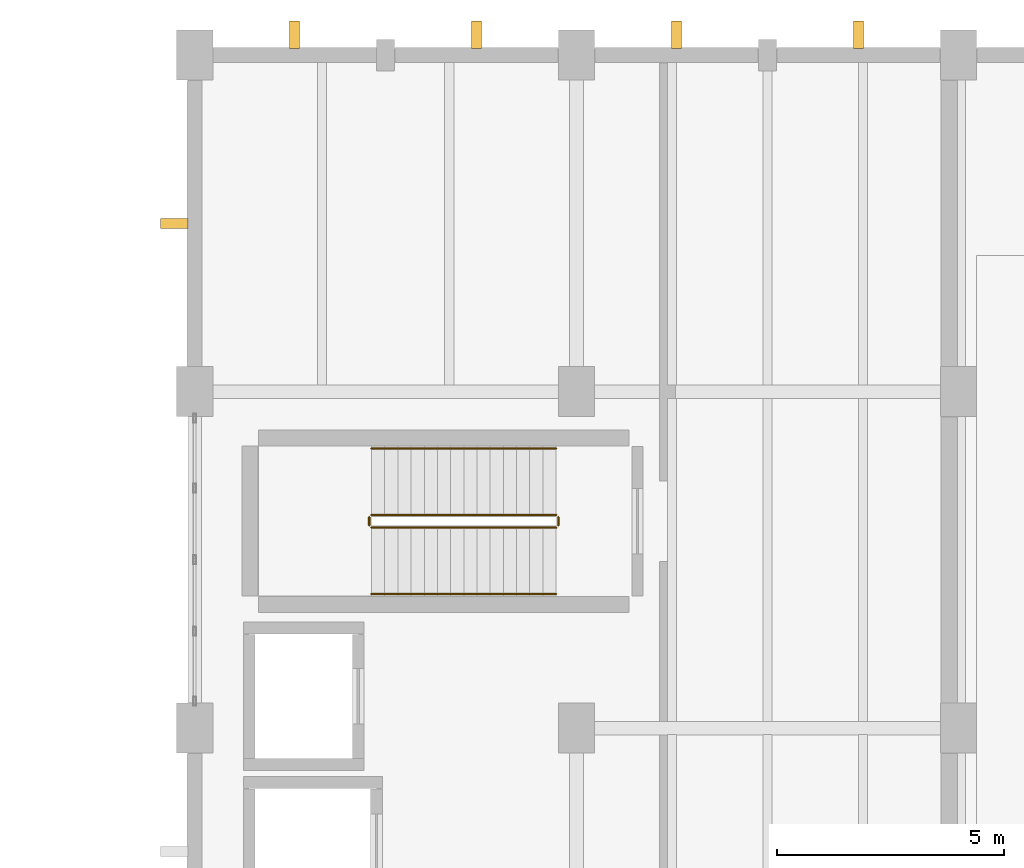
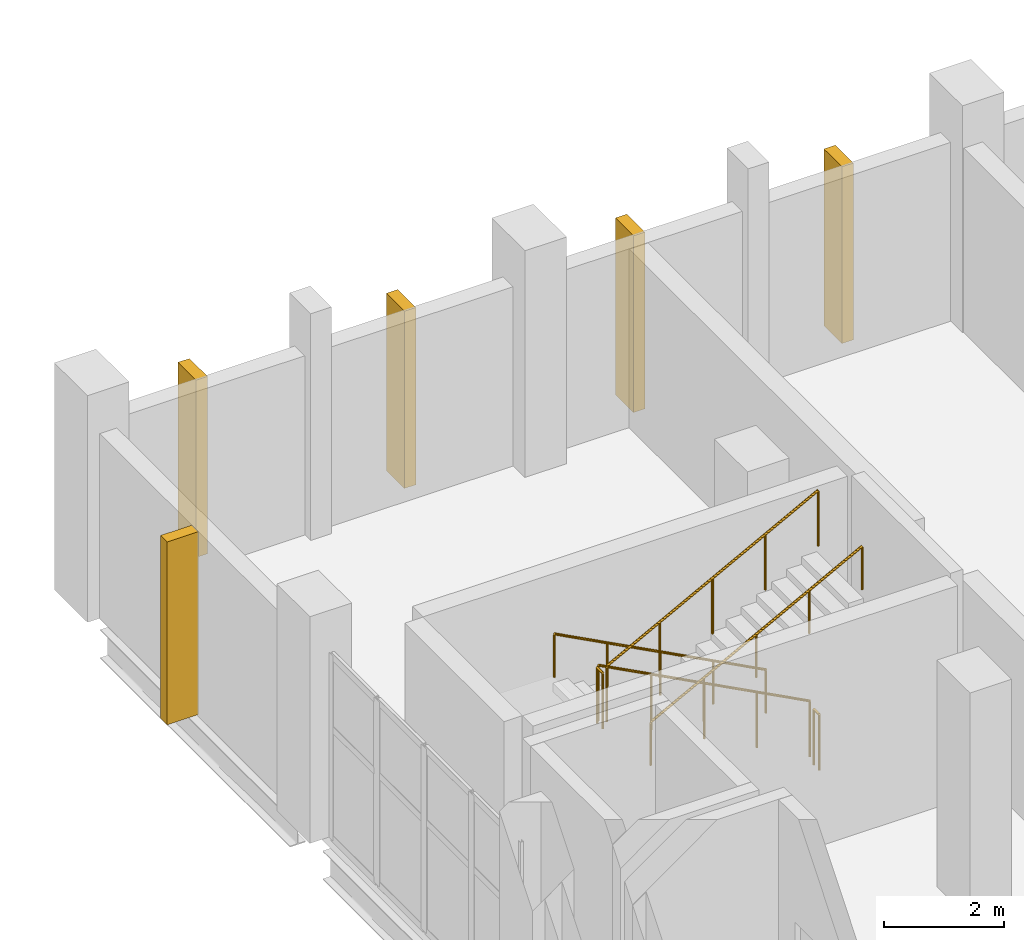
# One storey, part 165 of 172: 6 railings, 5 shading devices.
"""IFC4 building model written with IfcOpenShell, lengths in metres."""

from ifc_helpers import new_model, si_unit, direction, frame, origin, origin_2d, place, context, subcontext, project, spatial, rectangle, circle, extrude, material, layer, layer_set, type_object, element, save


model = new_model("IFC4")

# Units and contexts
model_context = context("Model", 3, precision=1e-05, world=origin(), true_north=direction((0.0, 1.0)))
body_context = subcontext(model_context, "Body", "Model", "MODEL_VIEW")
ifc_project = project(units=[si_unit("LENGTHUNIT", "METRE"), si_unit("AREAUNIT", "SQUARE_METRE"), si_unit("VOLUMEUNIT", "CUBIC_METRE"), si_unit("PLANEANGLEUNIT", "RADIAN"), si_unit("MASSUNIT", "GRAM", prefix="KILO")], contexts=[model_context])

# Site, building, storey
site_placement = place(None, origin())
site = spatial("IfcSite", under=ifc_project, at=site_placement, CompositionType="ELEMENT")
building_placement = place(site_placement, origin())
building = spatial("IfcBuilding", under=site, at=building_placement, Name="Shengluoqiao Park Theatre", CompositionType="ELEMENT")
storey_placement = place(building_placement, frame((0.0, 0.0, 5.39990234375)))
storey = spatial("IfcBuildingStorey", under=building, at=storey_placement, Name="L01", CompositionType="ELEMENT", Elevation=5.39990234375)

# Shading devices
ifc_material_1 = material(Name="Concrete C45", Category="concrete")
ifc_layer = layer(ifc_material_1, 0.219970703125, Name="Concrete C45")
ifc_layer_set = layer_set([ifc_layer], Name="Concrete C45")
shading_device_type = type_object("IfcShadingDeviceType", Name="ENV-FIN-600x220", PredefinedType="USERDEFINED", material=ifc_layer_set)
for number, where, z_axis, x_axis, name in (
    (1, (46.60009765625, 114.449951171875, 0.02001953125), (0.0, 0.0, 1.0), (0.0, 1.0, 0.0), "L01 Vertical Concrete Acoustic Rib 0015"),
    (2, (50.60009765625, 114.449951171875, 0.02001953125), (0.0, 0.0, 1.0), (0.0, 1.0, 0.0), "L01 Vertical Concrete Acoustic Rib 0016"),
):
    element("IfcShadingDevice", number, at=place(storey_placement, frame(where, z_axis=z_axis, x_axis=x_axis)), inside=storey, type_object=shading_device_type, Name=name, ObjectType="FIN", PredefinedType="USERDEFINED", context=body_context, shape_type="SweptSolid", body=[
        extrude(rectangle(XDim=0.60009765625, YDim=0.219970703125, at=origin_2d()), origin(), (0.0, 0.0, 1.0), 3.597900390625),
    ])
for number, where, z_axis, x_axis, name in (
    (3, (55.0, 114.449951171875, 0.020263671875), (0.0, 0.0, 1.0), (0.0, 1.0, 0.0), "L01 Vertical Concrete Acoustic Rib 0017"),
    (4, (59.0, 114.449951171875, 0.020263671875), (0.0, 0.0, 1.0), (0.0, 1.0, 0.0), "L01 Vertical Concrete Acoustic Rib 0018"),
):
    element("IfcShadingDevice", number, at=place(storey_placement, frame(where, z_axis=z_axis, x_axis=x_axis)), inside=storey, type_object=shading_device_type, Name=name, ObjectType="FIN", PredefinedType="USERDEFINED", context=body_context, shape_type="SweptSolid", body=[
        extrude(rectangle(XDim=0.60009765625, YDim=0.219970703125, at=origin_2d()), origin(), (0.0, 0.0, 1.0), 3.587890625),
    ])
shading_device_placement = place(storey_placement, frame((43.949951171875, 110.300048828125, 0.02001953125), z_axis=(0.0, 0.0, 1.0), x_axis=(-1.0, 0.0, 0.0)))
element("IfcShadingDevice", 5, at=shading_device_placement, inside=storey, type_object=shading_device_type, Name="L01 Vertical Concrete Acoustic Rib 0029", ObjectType="FIN", PredefinedType="USERDEFINED", context=body_context, shape_type="SweptSolid", body=[
    extrude(rectangle(XDim=0.60009765625, YDim=0.219970703125, at=origin_2d()), origin(), (0.0, 0.0, 1.0), 3.7099609375),
])

# Railings
ifc_material_2 = material(Name="Painted steel", Category="steel")
railing_type_1 = type_object("IfcRailingType", Name="INT-RL-STGRD", PredefinedType="GUARDRAIL", material=ifc_material_2)
railing_1_placement = place(storey_placement, frame((52.35009765625, 103.889892578125, 0.1533203125)))
element("IfcRailing", 6, at=railing_1_placement, inside=storey, type_object=railing_type_1, Name="L01 ST-03 stair guard 1", PredefinedType="GUARDRAIL", context=body_context, shape_type="SweptSolid", body=[
    extrude(circle(Radius=0.02392578125, at=origin_2d()), frame((0.0, 0.0, 1.1259765625), z_axis=(-0.884032182968, 0.0, 0.46742603637), x_axis=(0.0, -1.0, 0.0)), (0.0, 0.0, 1.0), 4.5927734375),
    extrude(circle(Radius=0.02099609375, at=origin_2d()), origin(), (0.0, 0.0, 1.0), 1.101806640625),
    extrude(circle(Radius=0.02099609375, at=origin_2d()), frame((-1.01513671875, 0.0, 0.53662109375)), (0.0, 0.0, 1.0), 1.101806640625),
    extrude(circle(Radius=0.02099609375, at=origin_2d()), frame((-2.030029296875, 0.0, 1.0732421875)), (0.0, 0.0, 1.0), 1.101806640625),
    extrude(circle(Radius=0.02099609375, at=origin_2d()), frame((-3.044921875, 0.0, 1.610107421875)), (0.0, 0.0, 1.0), 1.101806640625),
    extrude(circle(Radius=0.02099609375, at=origin_2d()), frame((-4.06005859375, 0.0, 2.146728515625)), (0.0, 0.0, 1.0), 1.101806640625),
])
railing_2_placement = place(storey_placement, frame((48.239990234375, 103.840087890625, 2.300048828125)))
element("IfcRailing", 7, at=railing_2_placement, inside=storey, type_object=railing_type_1, Name="L01 ST-03 stair guard 2", PredefinedType="GUARDRAIL", context=body_context, shape_type="SweptSolid", body=[
    extrude(circle(Radius=0.02392578125, at=origin_2d()), frame((0.0, 0.0, 1.1259765625), z_axis=(0.0, -1.0, 0.0), x_axis=(1.0, 0.0, 0.0)), (0.0, 0.0, 1.0), 0.18017578125),
    extrude(circle(Radius=0.02099609375, at=origin_2d()), origin(), (0.0, 0.0, 1.0), 1.101806640625),
    extrude(circle(Radius=0.02099609375, at=origin_2d()), frame((0.0, -0.18017578125, 0.0)), (0.0, 0.0, 1.0), 1.101806640625),
])
railing_3_placement = place(storey_placement, frame((48.2900390625, 103.610107421875, 2.453369140625)))
element("IfcRailing", 8, at=railing_3_placement, inside=storey, type_object=railing_type_1, Name="L01 ST-03 stair guard 3", PredefinedType="GUARDRAIL", context=body_context, shape_type="SweptSolid", body=[
    extrude(circle(Radius=0.02392578125, at=origin_2d()), frame((0.0, 0.0, 1.1259765625), z_axis=(0.884032182968, 0.0, 0.46742603637), x_axis=(0.0, 1.0, 0.0)), (0.0, 0.0, 1.0), 4.5927734375),
    extrude(circle(Radius=0.02099609375, at=origin_2d()), origin(), (0.0, 0.0, 1.0), 1.101806640625),
    extrude(circle(Radius=0.02099609375, at=origin_2d()), frame((1.01513671875, 0.0, 0.53662109375)), (0.0, 0.0, 1.0), 1.101806640625),
    extrude(circle(Radius=0.02099609375, at=origin_2d()), frame((2.030029296875, 0.0, 1.0732421875)), (0.0, 0.0, 1.0), 1.101806640625),
    extrude(circle(Radius=0.02099609375, at=origin_2d()), frame((3.044921875, 0.0, 1.610107421875)), (0.0, 0.0, 1.0), 1.101806640625),
    extrude(circle(Radius=0.02099609375, at=origin_2d()), frame((4.06005859375, 0.0, 2.146728515625)), (0.0, 0.0, 1.0), 1.101806640625),
])
railing_4_placement = place(storey_placement, frame((52.39990234375, 103.840087890625, 0.0)))
element("IfcRailing", 9, at=railing_4_placement, inside=storey, type_object=railing_type_1, Name="L01 ST-03 stair guard 4", PredefinedType="GUARDRAIL", context=body_context, shape_type="SweptSolid", body=[
    extrude(circle(Radius=0.02392578125, at=origin_2d()), frame((0.0, 0.0, 1.1259765625), z_axis=(0.0, -1.0, 0.0), x_axis=(1.0, 0.0, 0.0)), (0.0, 0.0, 1.0), 0.18017578125),
    extrude(circle(Radius=0.02099609375, at=origin_2d()), origin(), (0.0, 0.0, 1.0), 1.101806640625),
    extrude(circle(Radius=0.02099609375, at=origin_2d()), frame((0.0, -0.18017578125, 0.0)), (0.0, 0.0, 1.0), 1.101806640625),
])
ifc_material_3 = material(Name="Stainless steel 304", Category="steel")
railing_type_2 = type_object("IfcRailingType", Name="INT-RL-STHR", PredefinedType="HANDRAIL", material=ifc_material_3)
railing_5_placement = place(storey_placement, frame((52.35009765625, 105.35009765625, 0.1533203125)))
element("IfcRailing", 10, at=railing_5_placement, inside=storey, type_object=railing_type_2, Name="L01 ST-03 stair handrail 1", PredefinedType="HANDRAIL", context=body_context, shape_type="SweptSolid", body=[
    extrude(circle(Radius=0.02392578125, at=origin_2d()), frame((0.0, 0.0, 0.8759765625), z_axis=(-0.884032182968, 0.0, 0.46742603637), x_axis=(0.0, -1.0, 0.0)), (0.0, 0.0, 1.0), 4.5927734375),
    extrude(circle(Radius=0.02099609375, at=origin_2d()), origin(), (0.0, 0.0, 1.0), 0.851806640625),
    extrude(circle(Radius=0.02099609375, at=origin_2d()), frame((-1.01513671875, 0.0, 0.53662109375)), (0.0, 0.0, 1.0), 0.851806640625),
    extrude(circle(Radius=0.02099609375, at=origin_2d()), frame((-2.030029296875, 0.0, 1.0732421875)), (0.0, 0.0, 1.0), 0.851806640625),
    extrude(circle(Radius=0.02099609375, at=origin_2d()), frame((-3.044921875, 0.0, 1.610107421875)), (0.0, 0.0, 1.0), 0.851806640625),
    extrude(circle(Radius=0.02099609375, at=origin_2d()), frame((-4.06005859375, 0.0, 2.146728515625)), (0.0, 0.0, 1.0), 0.851806640625),
])
railing_6_placement = place(storey_placement, frame((48.2900390625, 102.14990234375, 2.453369140625)))
element("IfcRailing", 11, at=railing_6_placement, inside=storey, type_object=railing_type_2, Name="L01 ST-03 stair handrail 2", PredefinedType="HANDRAIL", context=body_context, shape_type="SweptSolid", body=[
    extrude(circle(Radius=0.02392578125, at=origin_2d()), frame((0.0, 0.0, 0.8759765625), z_axis=(0.884032182968, 0.0, 0.46742603637), x_axis=(0.0, 1.0, 0.0)), (0.0, 0.0, 1.0), 4.5927734375),
    extrude(circle(Radius=0.02099609375, at=origin_2d()), origin(), (0.0, 0.0, 1.0), 0.851806640625),
    extrude(circle(Radius=0.02099609375, at=origin_2d()), frame((1.01513671875, 0.0, 0.53662109375)), (0.0, 0.0, 1.0), 0.851806640625),
    extrude(circle(Radius=0.02099609375, at=origin_2d()), frame((2.030029296875, 0.0, 1.0732421875)), (0.0, 0.0, 1.0), 0.851806640625),
    extrude(circle(Radius=0.02099609375, at=origin_2d()), frame((3.044921875, 0.0, 1.610107421875)), (0.0, 0.0, 1.0), 0.851806640625),
    extrude(circle(Radius=0.02099609375, at=origin_2d()), frame((4.06005859375, 0.0, 2.146728515625)), (0.0, 0.0, 1.0), 0.851806640625),
])

save(model, "model.ifc")
